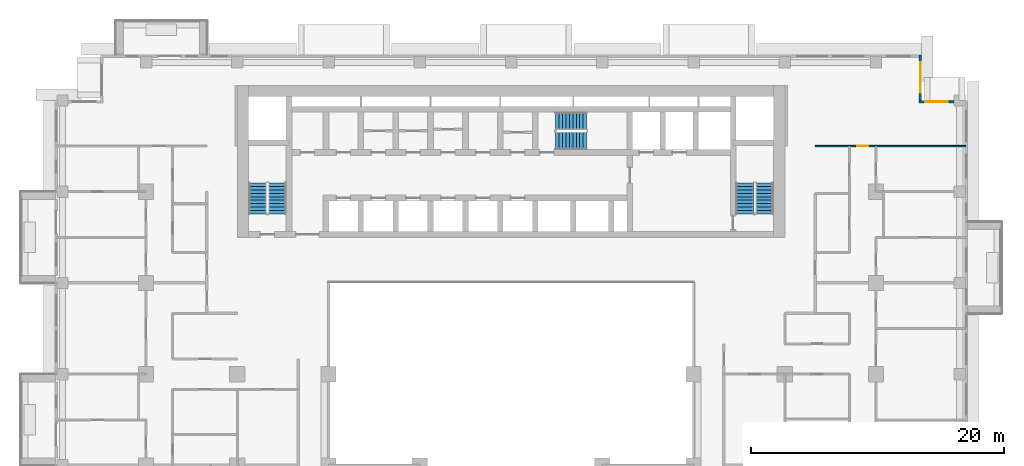
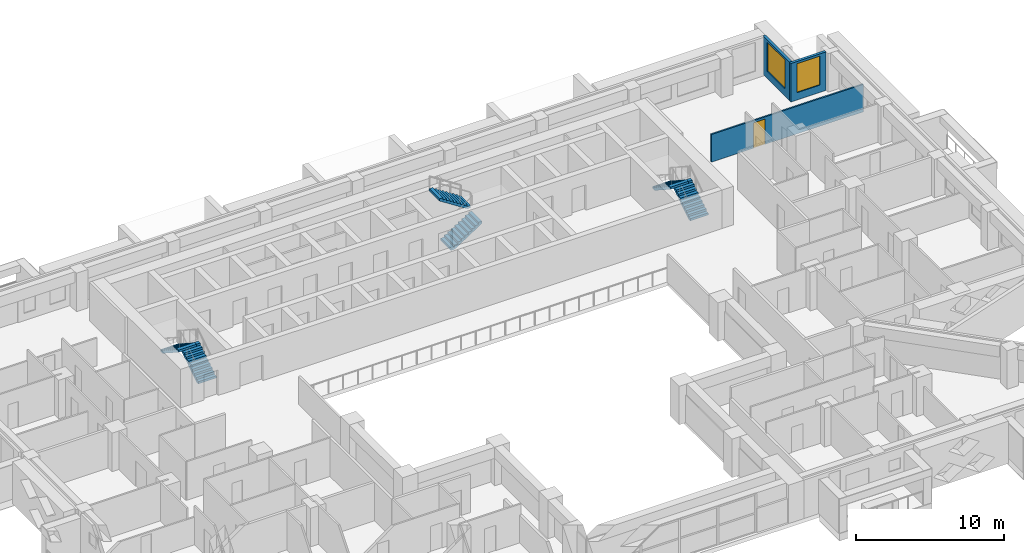
# One storey, part 13 of 17: 6 stair flights, 3 walls, 2 windows, 1 door, 3 openings, 3 elements without a shape of their own.
"""IFC4 building model written with IfcOpenShell, lengths in metres."""

from ifc_helpers import new_model, si_unit, direction, frame, frame_2d, origin, place, context, subcontext, project, spatial, polyline, rectangle, outline, extrude, material, layer, layer_set, type_object, element, fill, aggregate, save


model = new_model("IFC4")

# Units and contexts
model_context = context("Model", 3, precision=1e-05, world=origin(), true_north=direction((0.0, 1.0)))
body_context = subcontext(model_context, "Body", "Model", "MODEL_VIEW")
ifc_project = project(units=[si_unit("LENGTHUNIT", "METRE"), si_unit("AREAUNIT", "SQUARE_METRE"), si_unit("VOLUMEUNIT", "CUBIC_METRE"), si_unit("PLANEANGLEUNIT", "RADIAN"), si_unit("MASSUNIT", "GRAM", prefix="KILO")], contexts=[model_context])

# Site, building, storey
site_placement = place(None, origin())
site = spatial("IfcSite", under=ifc_project, at=site_placement, CompositionType="ELEMENT")
building_placement = place(site_placement, origin())
building = spatial("IfcBuilding", under=site, at=building_placement, Name="Saffron Iwan Residences", CompositionType="ELEMENT")
storey_placement = place(building_placement, frame((0.0, 0.0, 100.5)))
storey = spatial("IfcBuildingStorey", under=building, at=storey_placement, Name="L26", CompositionType="ELEMENT", Elevation=100.5)

# Wall, opening, window
ifc_material_1 = material(Name="Concrete C40/50", Category="concrete")
ifc_layer_1 = layer(ifc_material_1, 0.199951171875)
ifc_layer_set_1 = layer_set([ifc_layer_1], Name="Concrete C40/50")
wall_type_1 = type_object("IfcWallType", Name="EXTERNAL WALL 200", PredefinedType="SOLIDWALL", material=ifc_layer_set_1)
wall_1_placement = place(storey_placement, frame((85.35009765625, 76.699951171875, 0.0), z_axis=(0.0, 0.0, 1.0), x_axis=(-1.0, 0.0, 0.0)))
wall_1 = element("IfcWall", 1, at=wall_1_placement, inside=storey, type_object=wall_type_1, Name="External wall L26 F3.0", PredefinedType="SOLIDWALL", context=body_context, shape_type="SweptSolid", body=[
    extrude(rectangle(XDim=2.75, YDim=0.199951171875, at=frame_2d((1.375, 0.0))), origin(), (0.0, 0.0, 1.0), 3.179931640625),
])
opening_1_placement = place(wall_1_placement, frame((0.47509765625, 0.0, 0.60009765625)))
opening_1 = element("IfcOpeningElement", 2, at=opening_1_placement, cuts=wall_1, Name="Opening W8", PredefinedType="OPENING", context=body_context, shape_type="SweptSolid", body=[
    extrude(rectangle(XDim=1.800048828125, YDim=2.39990234375, at=frame_2d((0.89990234375, 1.199951171875))), frame((0.0, 0.10986328125, 0.0), z_axis=(0.0, -1.0, 0.0), x_axis=(1.0, 0.0, 0.0)), (0.0, 0.0, 1.0), 0.219970703125),
])
ifc_material_2 = material(Name="Clear glass, laminated double glazed", Category="glass")
window_type_1 = type_object("IfcWindowType", Name="WINDOW 1800 x 2400", PartitioningType="DOUBLE_PANEL_VERTICAL", PredefinedType="WINDOW", material=ifc_material_2)
window_1_placement = place(opening_1_placement, origin())
window_1 = element("IfcWindow", 3, at=window_1_placement, inside=storey, type_object=window_type_1, Name="Window L26 F3.0", OverallHeight=2.39990234375, OverallWidth=1.800048828125, PartitioningType="DOUBLE_PANEL_VERTICAL", PredefinedType="WINDOW", context=body_context, shape_type="SweptSolid", body=[
    extrude(rectangle(XDim=1.800048828125, YDim=2.39990234375, at=frame_2d((0.89990234375, 1.199951171875))), frame((0.0, 0.030029296875, 0.0), z_axis=(0.0, -1.0, 0.0), x_axis=(1.0, 0.0, 0.0)), (0.0, 0.0, 1.0), 0.06005859375),
])
fill(opening_1, window_1)

wall_2_placement = place(storey_placement, frame((82.699951171875, 76.800048828125, 0.0), z_axis=(0.0, 0.0, 1.0), x_axis=(0.0, 1.0, 0.0)))
wall_2 = element("IfcWall", 4, at=wall_2_placement, inside=storey, type_object=wall_type_1, Name="External wall L26 F4.0", PredefinedType="SOLIDWALL", context=body_context, shape_type="SweptSolid", body=[
    extrude(rectangle(XDim=3.599853515625, YDim=0.199951171875, at=frame_2d((1.7998046875, 0.0))), origin(), (0.0, 0.0, 1.0), 3.179931640625),
])
opening_2_placement = place(wall_2_placement, frame((0.60009765625, 0.0, 0.60009765625)))
opening_2 = element("IfcOpeningElement", 5, at=opening_2_placement, cuts=wall_2, Name="Opening W1", PredefinedType="OPENING", context=body_context, shape_type="SweptSolid", body=[
    extrude(rectangle(XDim=2.39990234375, YDim=2.39990234375, at=frame_2d((1.199951171875, 1.199951171875))), frame((0.0, 0.10986328125, 0.0), z_axis=(0.0, -1.0, 0.0), x_axis=(1.0, 0.0, 0.0)), (0.0, 0.0, 1.0), 0.219970703125),
])
window_type_2 = type_object("IfcWindowType", Name="WINDOW 2400 x 2400", PartitioningType="DOUBLE_PANEL_VERTICAL", PredefinedType="WINDOW", material=ifc_material_2)
window_2_placement = place(opening_2_placement, origin())
window_2 = element("IfcWindow", 6, at=window_2_placement, inside=storey, type_object=window_type_2, Name="Window L26 F4.0", OverallHeight=2.39990234375, OverallWidth=2.39990234375, PartitioningType="DOUBLE_PANEL_VERTICAL", PredefinedType="WINDOW", context=body_context, shape_type="SweptSolid", body=[
    extrude(rectangle(XDim=2.39990234375, YDim=2.39990234375, at=frame_2d((1.199951171875, 1.199951171875))), frame((0.0, 0.030029296875, 0.0), z_axis=(0.0, -1.0, 0.0), x_axis=(1.0, 0.0, 0.0)), (0.0, 0.0, 1.0), 0.06005859375),
])
fill(opening_2, window_2)

# Wall, opening, door
ifc_material_3 = material(Name="Gypsum board partition")
ifc_layer_2 = layer(ifc_material_3, 0.1201171875)
ifc_layer_set_2 = layer_set([ifc_layer_2], Name="Gypsum board partition")
wall_type_2 = type_object("IfcWallType", Name="Flat partition 120", PredefinedType="PARTITIONING", material=ifc_layer_set_2)
wall_3_placement = place(storey_placement, frame((74.39990234375, 73.199951171875, 0.0), z_axis=(0.0, 0.0, 1.0), x_axis=(1.0, 0.0, 0.0)))
wall_3 = element("IfcWall", 7, at=wall_3_placement, inside=storey, type_object=wall_type_2, Name="W-L26-PART-h73.2-74.4", PredefinedType="PARTITIONING", context=body_context, shape_type="SweptSolid", body=[
    extrude(rectangle(XDim=11.875, YDim=0.1201171875, at=frame_2d((5.9375, 0.0))), origin(), (0.0, 0.0, 1.0), 2.280029296875),
])
opening_3_placement = place(wall_3_placement, frame((3.300048828125, 0.0, 0.0)))
opening_3 = element("IfcOpeningElement", 8, at=opening_3_placement, cuts=wall_3, Name="Opening FD2", PredefinedType="OPENING", context=body_context, shape_type="SweptSolid", body=[
    extrude(rectangle(XDim=0.89990234375, YDim=2.10009765625, at=frame_2d((0.449951171875, 1.050048828125))), frame((0.0, 0.070068359375, 0.0), z_axis=(0.0, -1.0, 0.0), x_axis=(1.0, 0.0, 0.0)), (0.0, 0.0, 1.0), 0.14013671875),
])
ifc_material_4 = material(Name="Timber door", Category="wood")
door_type = type_object("IfcDoorType", Name="Flat door 900", OperationType="NOTDEFINED", PredefinedType="DOOR", material=ifc_material_4)
door_placement = place(opening_3_placement, origin())
door = element("IfcDoor", 9, at=door_placement, inside=storey, type_object=door_type, Name="Door L26-039", OperationType="SINGLE_SWING_LEFT", OverallHeight=2.10009765625, OverallWidth=0.89990234375, PredefinedType="DOOR", context=body_context, shape_type="SweptSolid", body=[
    extrude(rectangle(XDim=0.89990234375, YDim=2.10009765625, at=frame_2d((0.449951171875, 1.050048828125))), frame((0.0, 0.02490234375, 0.0), z_axis=(0.0, -1.0, 0.0), x_axis=(1.0, 0.0, 0.0)), (0.0, 0.0, 1.0), 0.050048828125),
])
fill(opening_3, door)

# Stair, stair flights
ifc_material_5 = material(Name="Concrete C50/60", Category="concrete")
stair_type = type_object("IfcStairType", Name="Stair ST-CORE", PredefinedType="HALF_TURN_STAIR", material=ifc_material_5)
stair_1_placement = place(storey_placement, origin())
stair_1 = element("IfcStair", 10, at=stair_1_placement, inside=storey, type_object=stair_type, Name="L26 Exit Stair ST-W", PredefinedType="HALF_TURN_STAIR")
ifc_layer_3 = layer(ifc_material_5, 0.14990234375)
ifc_layer_set_3 = layer_set([ifc_layer_3], Name="Concrete C50/60")
stair_flight_type = type_object("IfcStairFlightType", Name="Stair flight SFL-RC", PredefinedType="STRAIGHT", material=ifc_layer_set_3)
stair_flight_1_placement = place(storey_placement, frame((31.949951171875, 67.85009765625, 0.0), z_axis=(0.0, 0.0, 1.0), x_axis=(0.0, 1.0, 0.0)))
stair_flight_1 = element("IfcStairFlight", 11, at=stair_flight_1_placement, type_object=stair_flight_type, Name="ST-W flight 1", NumberOfRisers=10, NumberOfTreads=9, PredefinedType="STRAIGHT", RiserHeight=0.175, TreadLength=0.27, context=body_context, shape_type="SweptSolid", body=[
    extrude(outline(polyline([(0.0, 0.0), (0.0, 0.175048828125), (0.27001953125, 0.175048828125), (0.27001953125, 0.35009765625), (0.5400390625, 0.35009765625), (0.5400390625, 0.52490234375), (0.81005859375, 0.52490234375), (0.81005859375, 0.699951171875), (1.080078125, 0.699951171875), (1.080078125, 0.875), (1.35009765625, 0.875), (1.35009765625, 1.050048828125), (1.6201171875, 1.050048828125), (1.6201171875, 1.22509765625), (1.889892578125, 1.22509765625), (1.889892578125, 1.39990234375), (2.159912109375, 1.39990234375), (2.159912109375, 1.574951171875), (2.429931640625, 1.574951171875), (2.429931640625, 1.75), (2.429931640625, 1.396484375), (0.275634765625, 0.0), (0.0, 0.0)])), frame((0.0, 0.699951171875, 0.0), z_axis=(0.0, -1.0, 0.0), x_axis=(1.0, 0.0, 0.0)), (0.0, 0.0, 1.0), 1.39990234375),
])
stair_flight_2_placement = place(storey_placement, frame((30.39990234375, 70.280029296875, 1.75), z_axis=(0.0, 0.0, 1.0), x_axis=(0.0, -1.0, 0.0)))
stair_flight_2 = element("IfcStairFlight", 12, at=stair_flight_2_placement, type_object=stair_flight_type, Name="ST-W flight 2", NumberOfRisers=10, NumberOfTreads=9, PredefinedType="STRAIGHT", RiserHeight=0.175, TreadLength=0.27, context=body_context, shape_type="SweptSolid", body=[
    extrude(outline(polyline([(0.0, 0.0), (0.0, 0.175048828125), (0.27001953125, 0.175048828125), (0.27001953125, 0.35009765625), (0.5400390625, 0.35009765625), (0.5400390625, 0.52490234375), (0.81005859375, 0.52490234375), (0.81005859375, 0.699951171875), (1.080078125, 0.699951171875), (1.080078125, 0.875), (1.35009765625, 0.875), (1.35009765625, 1.050048828125), (1.6201171875, 1.050048828125), (1.6201171875, 1.22509765625), (1.889892578125, 1.22509765625), (1.889892578125, 1.39990234375), (2.159912109375, 1.39990234375), (2.159912109375, 1.574951171875), (2.429931640625, 1.574951171875), (2.429931640625, 1.75), (2.429931640625, 1.396484375), (0.275634765625, 0.0), (0.0, 0.0)])), frame((0.0, 0.699951171875, 0.0), z_axis=(0.0, -1.0, 0.0), x_axis=(1.0, 0.0, 0.0)), (0.0, 0.0, 1.0), 1.39990234375),
])
aggregate(stair_1, [stair_flight_1, stair_flight_2])

stair_2_placement = place(storey_placement, origin())
stair_2 = element("IfcStair", 13, at=stair_2_placement, inside=storey, type_object=stair_type, Name="L26 Exit Stair ST-C", PredefinedType="HALF_TURN_STAIR")
stair_flight_3_placement = place(storey_placement, frame((53.925048828125, 73.625, 0.0), z_axis=(0.0, 0.0, 1.0), x_axis=(1.0, 0.0, 0.0)))
stair_flight_3 = element("IfcStairFlight", 14, at=stair_flight_3_placement, type_object=stair_flight_type, Name="ST-C flight 1", NumberOfRisers=10, NumberOfTreads=9, PredefinedType="STRAIGHT", RiserHeight=0.175, TreadLength=0.27, context=body_context, shape_type="SweptSolid", body=[
    extrude(outline(polyline([(0.0, 0.0), (0.0, 0.175048828125), (0.27001953125, 0.175048828125), (0.27001953125, 0.35009765625), (0.5400390625, 0.35009765625), (0.5400390625, 0.52490234375), (0.81005859375, 0.52490234375), (0.81005859375, 0.699951171875), (1.080078125, 0.699951171875), (1.080078125, 0.875), (1.35009765625, 0.875), (1.35009765625, 1.050048828125), (1.6201171875, 1.050048828125), (1.6201171875, 1.22509765625), (1.889892578125, 1.22509765625), (1.889892578125, 1.39990234375), (2.159912109375, 1.39990234375), (2.159912109375, 1.574951171875), (2.429931640625, 1.574951171875), (2.429931640625, 1.75), (2.429931640625, 1.396484375), (0.275634765625, 0.0), (0.0, 0.0)])), frame((0.0, 0.699951171875, 0.0), z_axis=(0.0, -1.0, 0.0), x_axis=(1.0, 0.0, 0.0)), (0.0, 0.0, 1.0), 1.39990234375),
])
stair_flight_4_placement = place(storey_placement, frame((56.35498046875, 75.175048828125, 1.75), z_axis=(0.0, 0.0, 1.0), x_axis=(-1.0, 0.0, 0.0)))
stair_flight_4 = element("IfcStairFlight", 15, at=stair_flight_4_placement, type_object=stair_flight_type, Name="ST-C flight 2", NumberOfRisers=10, NumberOfTreads=9, PredefinedType="STRAIGHT", RiserHeight=0.175, TreadLength=0.27, context=body_context, shape_type="SweptSolid", body=[
    extrude(outline(polyline([(0.0, 0.0), (0.0, 0.175048828125), (0.27001953125, 0.175048828125), (0.27001953125, 0.35009765625), (0.5400390625, 0.35009765625), (0.5400390625, 0.52490234375), (0.81005859375, 0.52490234375), (0.81005859375, 0.699951171875), (1.080078125, 0.699951171875), (1.080078125, 0.875), (1.35009765625, 0.875), (1.35009765625, 1.050048828125), (1.6201171875, 1.050048828125), (1.6201171875, 1.22509765625), (1.889892578125, 1.22509765625), (1.889892578125, 1.39990234375), (2.159912109375, 1.39990234375), (2.159912109375, 1.574951171875), (2.429931640625, 1.574951171875), (2.429931640625, 1.75), (2.429931640625, 1.396484375), (0.275634765625, 0.0), (0.0, 0.0)])), frame((0.0, 0.699951171875, 0.0), z_axis=(0.0, -1.0, 0.0), x_axis=(1.0, 0.0, 0.0)), (0.0, 0.0, 1.0), 1.39990234375),
])
aggregate(stair_2, [stair_flight_3, stair_flight_4])

stair_3_placement = place(storey_placement, origin())
stair_3 = element("IfcStair", 16, at=stair_3_placement, inside=storey, type_object=stair_type, Name="L26 Exit Stair ST-E", PredefinedType="HALF_TURN_STAIR")
stair_flight_5_placement = place(storey_placement, frame((70.39990234375, 67.85009765625, 0.0), z_axis=(0.0, 0.0, 1.0), x_axis=(0.0, 1.0, 0.0)))
stair_flight_5 = element("IfcStairFlight", 17, at=stair_flight_5_placement, type_object=stair_flight_type, Name="ST-E flight 1", NumberOfRisers=10, NumberOfTreads=9, PredefinedType="STRAIGHT", RiserHeight=0.175, TreadLength=0.27, context=body_context, shape_type="SweptSolid", body=[
    extrude(outline(polyline([(0.0, 0.0), (0.0, 0.175048828125), (0.27001953125, 0.175048828125), (0.27001953125, 0.35009765625), (0.5400390625, 0.35009765625), (0.5400390625, 0.52490234375), (0.81005859375, 0.52490234375), (0.81005859375, 0.699951171875), (1.080078125, 0.699951171875), (1.080078125, 0.875), (1.35009765625, 0.875), (1.35009765625, 1.050048828125), (1.6201171875, 1.050048828125), (1.6201171875, 1.22509765625), (1.889892578125, 1.22509765625), (1.889892578125, 1.39990234375), (2.159912109375, 1.39990234375), (2.159912109375, 1.574951171875), (2.429931640625, 1.574951171875), (2.429931640625, 1.75), (2.429931640625, 1.396484375), (0.275634765625, 0.0), (0.0, 0.0)])), frame((0.0, 0.699951171875, 0.0), z_axis=(0.0, -1.0, 0.0), x_axis=(1.0, 0.0, 0.0)), (0.0, 0.0, 1.0), 1.39990234375),
])
stair_flight_6_placement = place(storey_placement, frame((68.85009765625, 70.280029296875, 1.75), z_axis=(0.0, 0.0, 1.0), x_axis=(0.0, -1.0, 0.0)))
stair_flight_6 = element("IfcStairFlight", 18, at=stair_flight_6_placement, type_object=stair_flight_type, Name="ST-E flight 2", NumberOfRisers=10, NumberOfTreads=9, PredefinedType="STRAIGHT", RiserHeight=0.175, TreadLength=0.27, context=body_context, shape_type="SweptSolid", body=[
    extrude(outline(polyline([(0.0, 0.0), (0.0, 0.175048828125), (0.27001953125, 0.175048828125), (0.27001953125, 0.35009765625), (0.5400390625, 0.35009765625), (0.5400390625, 0.52490234375), (0.81005859375, 0.52490234375), (0.81005859375, 0.699951171875), (1.080078125, 0.699951171875), (1.080078125, 0.875), (1.35009765625, 0.875), (1.35009765625, 1.050048828125), (1.6201171875, 1.050048828125), (1.6201171875, 1.22509765625), (1.889892578125, 1.22509765625), (1.889892578125, 1.39990234375), (2.159912109375, 1.39990234375), (2.159912109375, 1.574951171875), (2.429931640625, 1.574951171875), (2.429931640625, 1.75), (2.429931640625, 1.396484375), (0.275634765625, 0.0), (0.0, 0.0)])), frame((0.0, 0.699951171875, 0.0), z_axis=(0.0, -1.0, 0.0), x_axis=(1.0, 0.0, 0.0)), (0.0, 0.0, 1.0), 1.39990234375),
])
aggregate(stair_3, [stair_flight_5, stair_flight_6])

save(model, "model.ifc")
